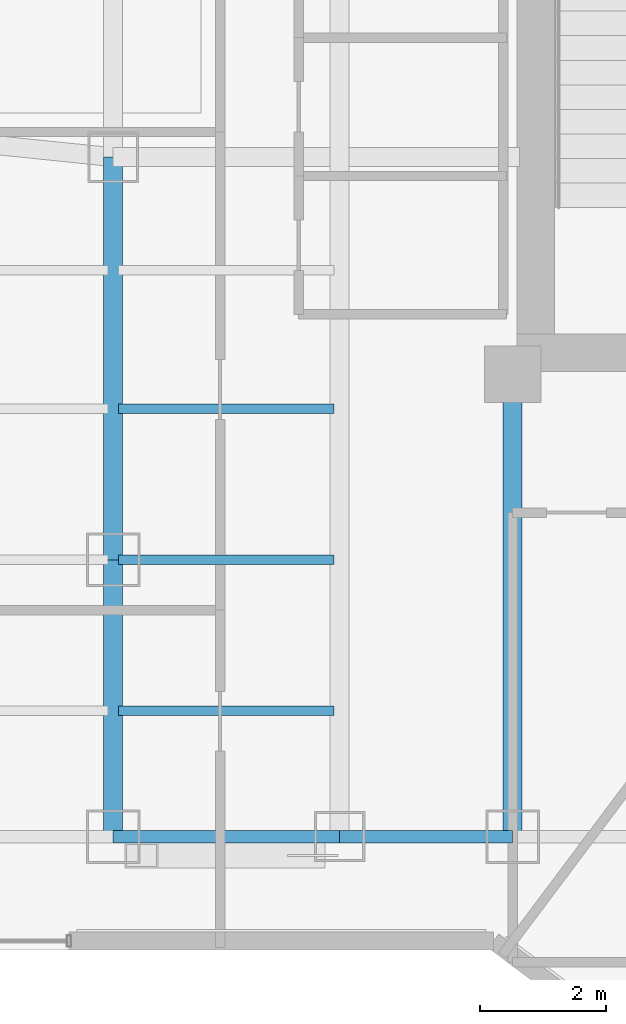
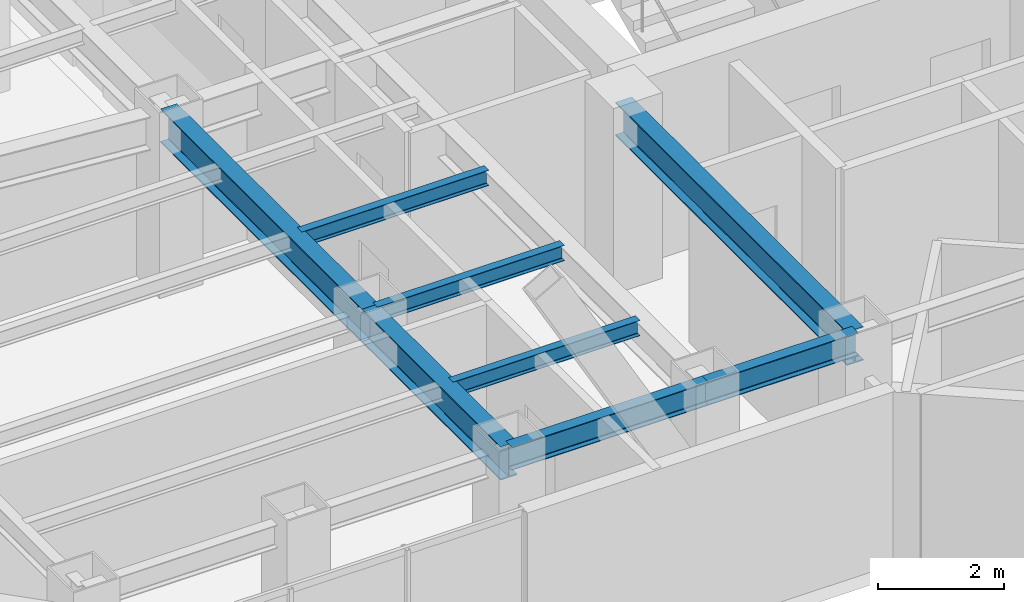
# One storey, part 5 of 28: 8 beams.
"""IFC4 building model written with IfcOpenShell, lengths in metres."""

from ifc_helpers import new_model, si_unit, direction, frame, origin, origin_2d, place, context, subcontext, project, spatial, i_section, extrude, material, material_profile, profile_set, type_object, element, save


model = new_model("IFC4")

# Units and contexts
model_context = context("Model", 3, precision=1e-05, world=origin(), true_north=direction((0.0, 1.0)))
body_context = subcontext(model_context, "Body", "Model", "MODEL_VIEW")
ifc_project = project(units=[si_unit("LENGTHUNIT", "METRE"), si_unit("AREAUNIT", "SQUARE_METRE"), si_unit("VOLUMEUNIT", "CUBIC_METRE"), si_unit("PLANEANGLEUNIT", "RADIAN"), si_unit("MASSUNIT", "GRAM", prefix="KILO")], contexts=[model_context])

# Site, building, storey
site_placement = place(None, origin())
site = spatial("IfcSite", under=ifc_project, at=site_placement, CompositionType="ELEMENT")
building_placement = place(site_placement, origin())
building = spatial("IfcBuilding", under=site, at=building_placement, Name="Hatsunagi Terrace Concourse", CompositionType="ELEMENT")
storey_placement = place(building_placement, frame((0.0, 0.0, 160.050048828125)))
storey = spatial("IfcBuildingStorey", under=building, at=storey_placement, Name="L42", CompositionType="ELEMENT", Elevation=160.050048828125)

# Beams
ifc_material_1 = material(Name="Steel SN490B", Category="steel")
ifc_material_profile_1 = material_profile(ifc_material_1, i_section(OverallWidth=0.14990234375, OverallDepth=0.300048828125, WebThickness=0.006591796875, FlangeThickness=0.009033203125, FilletRadius=0.010986328125, at=origin_2d()), Name="H-300x150x6.5x9")
ifc_profile_set_1 = profile_set([ifc_material_profile_1], Name="Steel SN490B")
beam_type_1 = type_object("IfcBeamType", Name="OfficeJoist_H_300x150", PredefinedType="JOIST", material=ifc_profile_set_1)
for number, where, z_axis, x_axis, name in (
    (1, (19.284912109375, 27.199951171875, 3.199951171875), (1.0, 0.0, 0.0), (0.0, 1.0, 0.0), "Beam J-03 J-L42-W-19-272"),
    (2, (19.284912109375, 29.60009765625, 3.199951171875), (1.0, 0.0, 0.0), (0.0, 1.0, 0.0), "Beam J-03 J-L42-W-19-296"),
    (3, (19.284912109375, 32.0, 3.199951171875), (1.0, 0.0, 0.0), (0.0, 1.0, 0.0), "Beam J-03 J-L42-W-19-320"),
):
    element("IfcBeam", number, at=place(storey_placement, frame(where, z_axis=z_axis, x_axis=x_axis)), inside=storey, type_object=beam_type_1, Name=name, PredefinedType="JOIST", context=body_context, shape_type="SweptSolid", body=[
        extrude(i_section(OverallWidth=0.14990234375, OverallDepth=0.300048828125, WebThickness=0.006591796875, FlangeThickness=0.009033203125, FilletRadius=0.010986328125, at=origin_2d()), origin(), (0.0, 0.0, 1.0), 3.43017578125),
    ])
ifc_material_2 = material(Name="Steel SN490B", Category="steel")
ifc_material_profile_2 = material_profile(ifc_material_2, i_section(OverallWidth=0.300048828125, OverallDepth=0.64990234375, WebThickness=0.012939453125, FlangeThickness=0.02197265625, FilletRadius=0.01806640625, at=origin_2d()), Name="H-650x300x13x22")
ifc_profile_set_2 = profile_set([ifc_material_profile_2], Name="Steel SN490B")
beam_type_2 = type_object("IfcBeamType", Name="OfficeLowGirder_H_650x300", PredefinedType="BEAM", material=ifc_profile_set_2)
beam_1_placement = place(storey_placement, frame((25.550048828125, 25.199951171875, 3.02490234375), z_axis=(0.0, 1.0, 0.0), x_axis=(-1.0, 0.0, 0.0)))
element("IfcBeam", 4, at=beam_1_placement, inside=storey, type_object=beam_type_2, Name="Beam G-05 BM-L42-K1CA", PredefinedType="BEAM", context=body_context, shape_type="SweptSolid", body=[
    extrude(i_section(OverallWidth=0.300048828125, OverallDepth=0.64990234375, WebThickness=0.012939453125, FlangeThickness=0.02197265625, FilletRadius=0.01806640625, at=origin_2d()), origin(), (0.0, 0.0, 1.0), 7.35009765625),
])
beam_2_placement = place(storey_placement, frame((19.199951171875, 25.199951171875, 3.02490234375), z_axis=(0.0, 1.0, 0.0), x_axis=(-1.0, 0.0, 0.0)))
element("IfcBeam", 5, at=beam_2_placement, inside=storey, type_object=beam_type_2, Name="Beam G-05 BM-L42-NS-19-25", PredefinedType="BEAM", context=body_context, shape_type="SweptSolid", body=[
    extrude(i_section(OverallWidth=0.300048828125, OverallDepth=0.64990234375, WebThickness=0.012939453125, FlangeThickness=0.02197265625, FilletRadius=0.01806640625, at=origin_2d()), origin(), (0.0, 0.0, 1.0), 4.400146484375),
])
beam_3_placement = place(storey_placement, frame((19.199951171875, 29.60009765625, 3.02490234375), z_axis=(0.0, 1.0, 0.0), x_axis=(-1.0, 0.0, 0.0)))
element("IfcBeam", 6, at=beam_3_placement, inside=storey, type_object=beam_type_2, Name="Beam G-05 BM-L42-NS-19-29", PredefinedType="BEAM", context=body_context, shape_type="SweptSolid", body=[
    extrude(i_section(OverallWidth=0.300048828125, OverallDepth=0.64990234375, WebThickness=0.012939453125, FlangeThickness=0.02197265625, FilletRadius=0.01806640625, at=origin_2d()), origin(), (0.0, 0.0, 1.0), 6.39990234375),
])
ifc_material_3 = material(Name="Steel SN490B", Category="steel")
ifc_material_profile_3 = material_profile(ifc_material_3, i_section(OverallWidth=0.199951171875, OverallDepth=0.449951171875, WebThickness=0.009033203125, FlangeThickness=0.013916015625, FilletRadius=0.01611328125, at=origin_2d()), Name="H-450x200x9x14")
ifc_profile_set_3 = profile_set([ifc_material_profile_3], Name="Steel SN490B")
beam_type_3 = type_object("IfcBeamType", Name="PerimeterSpandrel_H_450x200", PredefinedType="SPANDREL", material=ifc_profile_set_3)
beam_4_placement = place(storey_placement, frame((19.199951171875, 25.199951171875, 3.125), z_axis=(1.0, 0.0, 0.0), x_axis=(0.0, 1.0, 0.0)))
element("IfcBeam", 7, at=beam_4_placement, inside=storey, type_object=beam_type_3, Name="Beam SP-02 BM-L42-WS-19", PredefinedType="SPANDREL", context=body_context, shape_type="SweptSolid", body=[
    extrude(i_section(OverallWidth=0.199951171875, OverallDepth=0.449951171875, WebThickness=0.009033203125, FlangeThickness=0.013916015625, FilletRadius=0.01611328125, at=origin_2d()), origin(), (0.0, 0.0, 1.0), 3.60009765625),
])
beam_5_placement = place(storey_placement, frame((22.800048828125, 25.199951171875, 3.125), z_axis=(1.0, 0.0, 0.0), x_axis=(0.0, 1.0, 0.0)))
element("IfcBeam", 8, at=beam_5_placement, inside=storey, type_object=beam_type_3, Name="Beam SP-02 BM-L42-WS-22", PredefinedType="SPANDREL", context=body_context, shape_type="SweptSolid", body=[
    extrude(i_section(OverallWidth=0.199951171875, OverallDepth=0.449951171875, WebThickness=0.009033203125, FlangeThickness=0.013916015625, FilletRadius=0.01611328125, at=origin_2d()), origin(), (0.0, 0.0, 1.0), 2.75),
])

save(model, "model.ifc")
